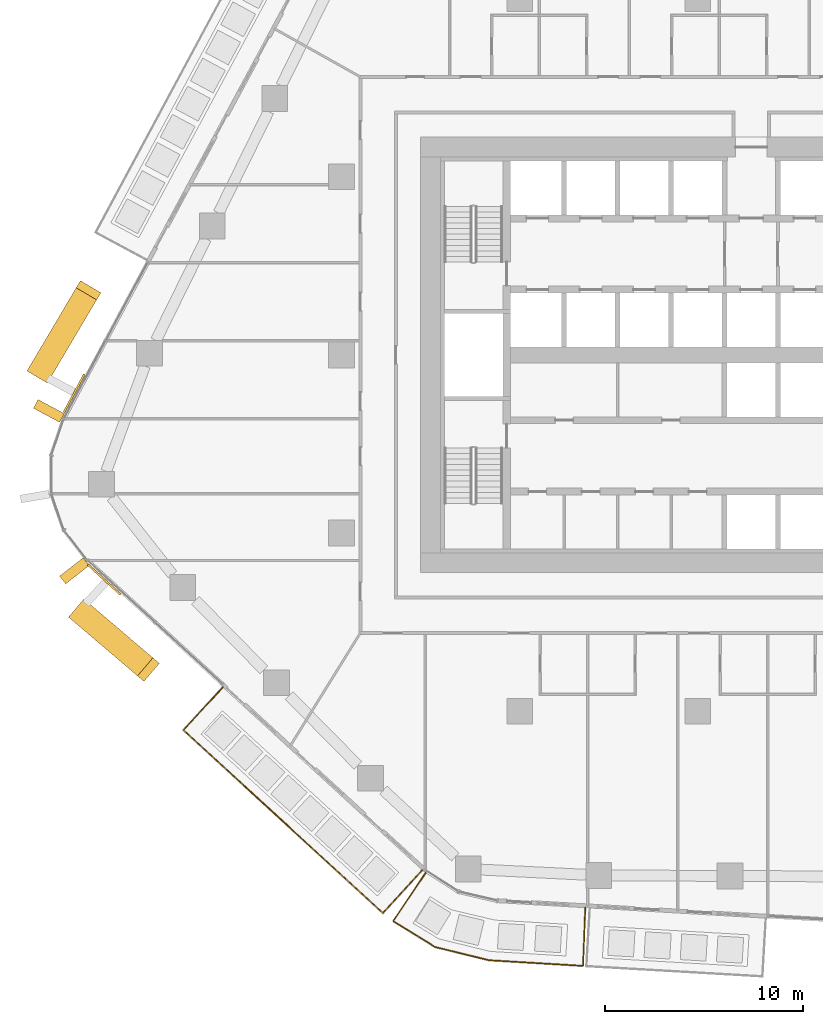
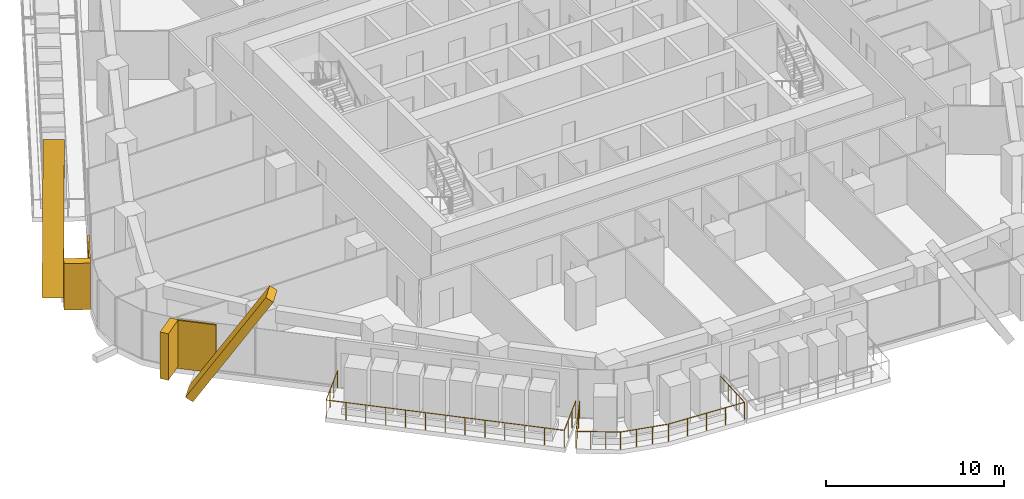
# One storey, part 18 of 23: 6 coverings, 2 railings, 3 elements without a shape of their own.
"""IFC4 building model written with IfcOpenShell, lengths in metres."""

import ifcopenshell
import ifcopenshell.guid

model = None  # the IFC model being written
_history = None  # IfcOwnerHistory: only IFC2X3 demands one
_inside = {}  # id of a spatial element -> (the spatial element, [elements in it])
_under = {}  # id of a project, library or spatial element -> (it, [spatial elements below it])
_declared = {}  # id of a project -> (the project, [libraries it declares])
_typed = {}  # id of a type object -> (the type object, [elements of that type])
_made_of = {}  # id of a material, layer set ... -> (it, [elements and type objects made of it])


def new_model(schema):
    """Start an empty IFC model of exactly this schema.

    Asked for "IFC4X3", IfcOpenShell would pick the latest addendum, in which some entities
    have other attributes; the version numbers below select the first issue.
    IFC2X3 requires an IfcOwnerHistory on every rooted entity: one is made here for all.
    """
    global model, _history
    if schema == "IFC4X3":
        model = ifcopenshell.file(schema_version=(4, 3, 0, 0))
    else:
        model = ifcopenshell.file(schema=schema)
    _inside.clear()
    _under.clear()
    _declared.clear()
    _typed.clear()
    _made_of.clear()
    _history = None
    if model.schema == "IFC2X3":
        org = make("IfcOrganization", Name="unknown")
        user = make(
            "IfcPersonAndOrganization",
            ThePerson=make("IfcPerson", FamilyName="unknown"),
            TheOrganization=org,
        )
        app = make(
            "IfcApplication",
            ApplicationDeveloper=org,
            Version="unknown",
            ApplicationFullName="unknown",
            ApplicationIdentifier="unknown",
        )
        _history = make(
            "IfcOwnerHistory",
            OwningUser=user,
            OwningApplication=app,
            ChangeAction="ADDED",
            CreationDate=0,
        )
    return model


def make(cls, **values):
    """One entity of the class cls with the attributes given. An attribute that is None is left unset."""
    return model.create_entity(
        cls, **{name: value for name, value in values.items() if value is not None}
    )


def rooted(cls, **values):
    """An entity with a GlobalId (a new one), such as an element, a storey or a relation."""
    return make(cls, GlobalId=ifcopenshell.guid.new(), OwnerHistory=_history, **values)


def si_unit(unit_type, name, prefix=None):
    """IfcSIUnit, for example si_unit("LENGTHUNIT", "METRE", prefix="MILLI")."""
    return make("IfcSIUnit", UnitType=unit_type, Prefix=prefix, Name=name)


def assignment(units):
    """IfcUnitAssignment: the units of a project."""
    return None if units is None else make("IfcUnitAssignment", Units=units)


def point(xyz):
    """IfcCartesianPoint."""
    return None if xyz is None else make("IfcCartesianPoint", Coordinates=xyz)


def direction(xyz):
    """IfcDirection."""
    return None if xyz is None else make("IfcDirection", DirectionRatios=xyz)


def frame(location, z_axis=None, x_axis=None):
    """IfcAxis2Placement3D, a coordinate frame: its origin and axes. An axis left out is left unset."""
    return make(
        "IfcAxis2Placement3D",
        Location=point(location),
        Axis=direction(z_axis),
        RefDirection=direction(x_axis),
    )


def frame_2d(location, x_axis=None):
    """IfcAxis2Placement2D, a coordinate frame in the plane: its origin and x axis."""
    return make(
        "IfcAxis2Placement2D", Location=point(location), RefDirection=direction(x_axis)
    )


def origin():
    """The frame at (0, 0, 0) with its axes left unset."""
    return frame((0.0, 0.0, 0.0))


def origin_2d():
    """The frame at (0, 0) in the plane with its x axis left unset."""
    return frame_2d((0.0, 0.0))


def place(relative_to, where):
    """IfcLocalPlacement: puts the frame where relative to a parent placement (None: the world)."""
    return make(
        "IfcLocalPlacement", PlacementRelTo=relative_to, RelativePlacement=where
    )


def context(
    kind, dimensions, precision=None, world=None, true_north=None, identifier=None
):
    """IfcGeometricRepresentationContext, for example the 3D "Model" context."""
    return make(
        "IfcGeometricRepresentationContext",
        ContextIdentifier=identifier,
        ContextType=kind,
        CoordinateSpaceDimension=dimensions,
        Precision=precision,
        WorldCoordinateSystem=world,
        TrueNorth=true_north,
    )


def subcontext(parent, identifier, kind, view, scale=None):
    """IfcGeometricRepresentationSubContext, for example "Body" below "Model"."""
    return make(
        "IfcGeometricRepresentationSubContext",
        ContextIdentifier=identifier,
        ContextType=kind,
        ParentContext=parent,
        TargetScale=scale,
        TargetView=view,
    )


def project(units=None, contexts=None):
    """IfcProject with its units and contexts."""
    return rooted(
        "IfcProject",
        Name="project",
        RepresentationContexts=contexts,
        UnitsInContext=assignment(units),
    )


def spatial(cls, under=None, at=None, **own):
    """A site, building, storey or space (cls), placed at a placement, below another one or the project."""
    s = rooted(cls, ObjectPlacement=at, **own)
    if under is not None:
        _under.setdefault(under.id(), (under, []))[1].append(s)
    return s


def profile(cls, at=None, kind="AREA", **sizes):
    """A parametric profile (cls). Its sizes go by their IFC names, for example OverallWidth=200.0."""
    return make(cls, ProfileType=kind, Position=at, **sizes)


def rectangle(**sizes):
    """IfcRectangleProfileDef."""
    return profile("IfcRectangleProfileDef", **sizes)


def circle(**sizes):
    """IfcCircleProfileDef."""
    return profile("IfcCircleProfileDef", **sizes)


def extrude(swept, where, along, depth):
    """IfcExtrudedAreaSolid: the profile swept, set in the frame where, extruded along a direction by depth."""
    return make(
        "IfcExtrudedAreaSolid",
        SweptArea=swept,
        Position=where,
        ExtrudedDirection=direction(along),
        Depth=depth,
    )


def shape(context_of_items, identifier, shape_type, items):
    """IfcShapeRepresentation: the items that make up one representation, for example the "Body"."""
    return make(
        "IfcShapeRepresentation",
        ContextOfItems=context_of_items,
        RepresentationIdentifier=identifier,
        RepresentationType=shape_type,
        Items=items,
    )


def material(Name=None, Category=None):
    """IfcMaterial."""
    return make("IfcMaterial", Name=Name, Category=Category)


def layer(
    of_material, thickness, ventilated=None, Name=None, Category=None, Priority=None
):
    """IfcMaterialLayer: one layer of a wall or slab, of a material (None: an air gap)."""
    return make(
        "IfcMaterialLayer",
        Material=of_material,
        LayerThickness=thickness,
        IsVentilated=ventilated,
        Name=Name,
        Category=Category,
        Priority=Priority,
    )


def layer_set(layers, Name=None):
    """IfcMaterialLayerSet."""
    return make("IfcMaterialLayerSet", MaterialLayers=layers, LayerSetName=Name)


def material_profile(
    of_material, cross_section, Name=None, Category=None, Priority=None
):
    """IfcMaterialProfile: a cross section and its material."""
    return make(
        "IfcMaterialProfile",
        Name=Name,
        Material=of_material,
        Profile=cross_section,
        Priority=Priority,
        Category=Category,
    )


def profile_set(profiles, Name=None, composite=None):
    """IfcMaterialProfileSet."""
    return make(
        "IfcMaterialProfileSet",
        Name=Name,
        MaterialProfiles=profiles,
        CompositeProfile=composite,
    )


def made_of(thing, what):
    """Note that an element or type object is made of a material, layer set ...; save() writes the relation."""
    if what is not None:
        _made_of.setdefault(what.id(), (what, []))[1].append(thing)
    return thing


def type_object(cls, material=None, **own):
    """A type object (cls), such as IfcWallType, which elements share."""
    return made_of(rooted(cls, **own), material)


def element(
    cls,
    number,
    at=None,
    inside=None,
    cuts=None,
    type_object=None,
    material=None,
    context=None,
    identifier="Body",
    shape_type=None,
    held_by="IfcProductDefinitionShape",
    body=None,
    shapes=None,
    **own,
):
    """One element of the class cls, such as IfcWall. Its Tag is "e" and its number.

    at: its placement. inside: the storey or other place that contains it. cuts: it is an
    opening in that element (IfcRelVoidsElement). A single representation is given by context,
    identifier, shape_type and body (its items); several are given by shapes. held_by: the class
    of the entity that holds the representations. save() writes the other relations.
    """
    e = rooted(cls, Tag="e%d" % number, ObjectPlacement=at, **own)
    if body is not None:
        shapes = [shape(context, identifier, shape_type, body)]
    if shapes is not None:
        e.Representation = make(held_by, Representations=shapes)
    if inside is not None:
        _inside.setdefault(inside.id(), (inside, []))[1].append(e)
    if cuts is not None:
        rooted(
            "IfcRelVoidsElement", RelatingBuildingElement=cuts, RelatedOpeningElement=e
        )
    if type_object is not None:
        _typed.setdefault(type_object.id(), (type_object, []))[1].append(e)
    return made_of(e, material)


def aggregate(whole, parts):
    """IfcRelAggregates: a whole, such as a stair, and the parts it consists of."""
    return rooted("IfcRelAggregates", RelatingObject=whole, RelatedObjects=parts)


def save(model, path):
    """Write the relations noted so far, then the file.

    IfcRelAggregates (storeys below a building ...), IfcRelContainedInSpatialStructure (elements
    in a storey), IfcRelDefinesByType, IfcRelAssociatesMaterial and IfcRelDeclares: one each for
    every whole, place, type object, material and project.
    """
    for whole, parts in _under.values():
        aggregate(whole, parts)
    for where, things in _inside.values():
        rooted(
            "IfcRelContainedInSpatialStructure",
            RelatedElements=things,
            RelatingStructure=where,
        )
    for kind, things in _typed.values():
        rooted("IfcRelDefinesByType", RelatedObjects=things, RelatingType=kind)
    for what, things in _made_of.values():
        rooted("IfcRelAssociatesMaterial", RelatedObjects=things, RelatingMaterial=what)
    for by, libraries in _declared.values():
        rooted("IfcRelDeclares", RelatingContext=by, RelatedDefinitions=libraries)
    model.write(path)


model = new_model("IFC4")

# Units and contexts
model_context = context("Model", 3, precision=1e-05, world=origin(), true_north=direction((0.0, 1.0)))
body_context = subcontext(model_context, "Body", "Model", "MODEL_VIEW")
ifc_project = project(units=[si_unit("LENGTHUNIT", "METRE"), si_unit("AREAUNIT", "SQUARE_METRE"), si_unit("VOLUMEUNIT", "CUBIC_METRE"), si_unit("PLANEANGLEUNIT", "RADIAN"), si_unit("MASSUNIT", "GRAM", prefix="KILO")], contexts=[model_context])

# Site, building, storey
site_placement = place(None, origin())
site = spatial("IfcSite", under=ifc_project, at=site_placement, CompositionType="ELEMENT")
building_placement = place(site_placement, origin())
building = spatial("IfcBuilding", under=site, at=building_placement, Name="Dongbaek Canopy Tower", CompositionType="ELEMENT")
storey_placement = place(building_placement, frame((0.0, 0.0, 121.10009765625)))
storey = spatial("IfcBuildingStorey", under=building, at=storey_placement, Name="L26", CompositionType="ELEMENT", Elevation=121.10009765625)

# Railings
ifc_material_1 = material(Name="Stainless steel", Category="steel")
railing_type = type_object("IfcRailingType", Name="Balcony balustrade 1200", PredefinedType="BALUSTRADE", material=ifc_material_1)
railing_1_placement = place(storey_placement, frame((-23.9921875, -16.784423828125, 0.0)))
element("IfcRailing", 1, at=railing_1_placement, inside=storey, type_object=railing_type, Name="Balcony guard L26 3", PredefinedType="BALUSTRADE", context=body_context, shape_type="SweptSolid", body=[
    extrude(circle(Radius=0.02392578125, at=origin_2d()), frame((0.0, 0.0, 1.17578125), z_axis=(-0.675972780122, -0.736926591008, 0.0), x_axis=(0.736926591008, -0.675972780122, 0.0)), (0.0, 0.0, 1.0), 2.93994140625),
    extrude(circle(Radius=0.02392578125, at=origin_2d()), frame((-1.9873046875, -2.16650390625, 1.17578125), z_axis=(0.736921293012, -0.675978555803, 0.0), x_axis=(0.675978555803, 0.736921293012, 0.0)), (0.0, 0.0, 1.0), 13.668701171875),
    extrude(circle(Radius=0.02392578125, at=origin_2d()), frame((8.08544921875, -11.40625, 1.17578125), z_axis=(0.675931414187, 0.736964533282, 0.0), x_axis=(-0.736964533282, 0.675931414187, 0.0)), (0.0, 0.0, 1.0), 2.940185546875),
    extrude(circle(Radius=0.02099609375, at=origin_2d()), origin(), (0.0, 0.0, 1.0), 1.15185546875),
    extrude(circle(Radius=0.02099609375, at=origin_2d()), frame((-0.662353515625, -0.72216796875, 0.0)), (0.0, 0.0, 1.0), 1.15185546875),
    extrude(circle(Radius=0.02099609375, at=origin_2d()), frame((-1.324951171875, -1.4443359375, 0.0)), (0.0, 0.0, 1.0), 1.15185546875),
    extrude(circle(Radius=0.02099609375, at=origin_2d()), frame((-1.9873046875, -2.16650390625, 0.0)), (0.0, 0.0, 1.0), 1.15185546875),
    extrude(circle(Radius=0.02099609375, at=origin_2d()), frame((-1.14794921875, -2.9365234375, 0.0)), (0.0, 0.0, 1.0), 1.15185546875),
    extrude(circle(Radius=0.02099609375, at=origin_2d()), frame((-0.30859375, -3.70654296875, 0.0)), (0.0, 0.0, 1.0), 1.15185546875),
    extrude(circle(Radius=0.02099609375, at=origin_2d()), frame((0.53076171875, -4.4765625, 0.0)), (0.0, 0.0, 1.0), 1.15185546875),
    extrude(circle(Radius=0.02099609375, at=origin_2d()), frame((1.370361328125, -5.246337890625, 0.0)), (0.0, 0.0, 1.0), 1.15185546875),
    extrude(circle(Radius=0.02099609375, at=origin_2d()), frame((2.209716796875, -6.016357421875, 0.0)), (0.0, 0.0, 1.0), 1.15185546875),
    extrude(circle(Radius=0.02099609375, at=origin_2d()), frame((3.049072265625, -6.786376953125, 0.0)), (0.0, 0.0, 1.0), 1.15185546875),
    extrude(circle(Radius=0.02099609375, at=origin_2d()), frame((3.888427734375, -7.556396484375, 0.0)), (0.0, 0.0, 1.0), 1.15185546875),
    extrude(circle(Radius=0.02099609375, at=origin_2d()), frame((4.727783203125, -8.326416015625, 0.0)), (0.0, 0.0, 1.0), 1.15185546875),
    extrude(circle(Radius=0.02099609375, at=origin_2d()), frame((5.5673828125, -9.09619140625, 0.0)), (0.0, 0.0, 1.0), 1.15185546875),
    extrude(circle(Radius=0.02099609375, at=origin_2d()), frame((6.40673828125, -9.8662109375, 0.0)), (0.0, 0.0, 1.0), 1.15185546875),
    extrude(circle(Radius=0.02099609375, at=origin_2d()), frame((7.24609375, -10.63623046875, 0.0)), (0.0, 0.0, 1.0), 1.15185546875),
    extrude(circle(Radius=0.02099609375, at=origin_2d()), frame((8.08544921875, -11.40625, 0.0)), (0.0, 0.0, 1.0), 1.15185546875),
    extrude(circle(Radius=0.02099609375, at=origin_2d()), frame((8.747802734375, -10.68408203125, 0.0)), (0.0, 0.0, 1.0), 1.15185546875),
    extrude(circle(Radius=0.02099609375, at=origin_2d()), frame((9.410400390625, -9.961669921875, 0.0)), (0.0, 0.0, 1.0), 1.15185546875),
    extrude(circle(Radius=0.02099609375, at=origin_2d()), frame((10.07275390625, -9.239501953125, 0.0)), (0.0, 0.0, 1.0), 1.15185546875),
])
railing_2_placement = place(storey_placement, frame((-13.745849609375, -26.157958984375, 0.0)))
element("IfcRailing", 2, at=railing_2_placement, inside=storey, type_object=railing_type, Name="Balcony guard L26 7", PredefinedType="BALUSTRADE", context=body_context, shape_type="SweptSolid", body=[
    extrude(circle(Radius=0.02392578125, at=origin_2d()), frame((0.0, 0.0, 1.17578125), z_axis=(-0.557704769947, -0.830039390377, 0.0), x_axis=(0.830039390377, -0.557704769947, 0.0)), (0.0, 0.0, 1.0), 2.9404296875),
    extrude(circle(Radius=0.02392578125, at=origin_2d()), frame((-1.639892578125, -2.440673828125, 1.17578125), z_axis=(0.850419443082, -0.526105284926, 0.0), x_axis=(0.526105284926, 0.850419443082, 0.0)), (0.0, 0.0, 1.0), 2.49462890625),
    extrude(circle(Radius=0.02392578125, at=origin_2d()), frame((0.481689453125, -3.753173828125, 1.17578125), z_axis=(0.97124705118, -0.238073865796, 0.0), x_axis=(0.238073865796, 0.97124705118, 0.0)), (0.0, 0.0, 1.0), 2.79541015625),
    extrude(circle(Radius=0.02392578125, at=origin_2d()), frame((3.19677734375, -4.418701171875, 1.17578125), z_axis=(0.998198652811, -0.059995412536, 0.0), x_axis=(0.059995412536, 0.998198652811, 0.0)), (0.0, 0.0, 1.0), 4.76513671875),
    extrude(circle(Radius=0.02392578125, at=origin_2d()), frame((7.953369140625, -4.70458984375, 1.17578125), z_axis=(0.037361732555, 0.999301806733, 0.0), x_axis=(-0.999301806733, 0.037361732555, 0.0)), (0.0, 0.0, 1.0), 2.9404296875),
    extrude(circle(Radius=0.02099609375, at=origin_2d()), origin(), (0.0, 0.0, 1.0), 1.15185546875),
    extrude(circle(Radius=0.02099609375, at=origin_2d()), frame((-0.546630859375, -0.8134765625, 0.0)), (0.0, 0.0, 1.0), 1.15185546875),
    extrude(circle(Radius=0.02099609375, at=origin_2d()), frame((-1.09326171875, -1.627197265625, 0.0)), (0.0, 0.0, 1.0), 1.15185546875),
    extrude(circle(Radius=0.02099609375, at=origin_2d()), frame((-1.639892578125, -2.440673828125, 0.0)), (0.0, 0.0, 1.0), 1.15185546875),
    extrude(circle(Radius=0.02099609375, at=origin_2d()), frame((-0.9326171875, -2.878173828125, 0.0)), (0.0, 0.0, 1.0), 1.15185546875),
    extrude(circle(Radius=0.02099609375, at=origin_2d()), frame((-0.2255859375, -3.315673828125, 0.0)), (0.0, 0.0, 1.0), 1.15185546875),
    extrude(circle(Radius=0.02099609375, at=origin_2d()), frame((0.481689453125, -3.753173828125, 0.0)), (0.0, 0.0, 1.0), 1.15185546875),
    extrude(circle(Radius=0.02099609375, at=origin_2d()), frame((1.38671875, -3.97509765625, 0.0)), (0.0, 0.0, 1.0), 1.15185546875),
    extrude(circle(Radius=0.02099609375, at=origin_2d()), frame((2.291748046875, -4.19677734375, 0.0)), (0.0, 0.0, 1.0), 1.15185546875),
    extrude(circle(Radius=0.02099609375, at=origin_2d()), frame((3.19677734375, -4.418701171875, 0.0)), (0.0, 0.0, 1.0), 1.15185546875),
    extrude(circle(Radius=0.02099609375, at=origin_2d()), frame((4.385986328125, -4.490234375, 0.0)), (0.0, 0.0, 1.0), 1.15185546875),
    extrude(circle(Radius=0.02099609375, at=origin_2d()), frame((5.5751953125, -4.5615234375, 0.0)), (0.0, 0.0, 1.0), 1.15185546875),
    extrude(circle(Radius=0.02099609375, at=origin_2d()), frame((6.76416015625, -4.633056640625, 0.0)), (0.0, 0.0, 1.0), 1.15185546875),
    extrude(circle(Radius=0.02099609375, at=origin_2d()), frame((7.953369140625, -4.70458984375, 0.0)), (0.0, 0.0, 1.0), 1.15185546875),
    extrude(circle(Radius=0.02099609375, at=origin_2d()), frame((7.989990234375, -3.72509765625, 0.0)), (0.0, 0.0, 1.0), 1.15185546875),
    extrude(circle(Radius=0.02099609375, at=origin_2d()), frame((8.026611328125, -2.74560546875, 0.0)), (0.0, 0.0, 1.0), 1.15185546875),
    extrude(circle(Radius=0.02099609375, at=origin_2d()), frame((8.063232421875, -1.76611328125, 0.0)), (0.0, 0.0, 1.0), 1.15185546875),
])

# Curtain wall, covering
ifc_material_2 = material(Name="Aluminium 6063-T6 pale anodised", Category="aluminium")
ifc_layer_1 = layer(ifc_material_2, 0.199951171875)
ifc_layer_set_1 = layer_set([ifc_layer_1], Name="CW-1 unitised tower curtain wall")
curtain_wall_type = type_object("IfcCurtainWallType", Name="CW-1 unitised tower curtain wall", PredefinedType="NOTDEFINED", material=ifc_layer_set_1)
curtain_wall_1_placement = place(storey_placement, origin())
curtain_wall_1 = element("IfcCurtainWall", 3, at=curtain_wall_1_placement, inside=storey, type_object=curtain_wall_type, Name="CW-1 curtain wall F2.1", PredefinedType="NOTDEFINED")
ifc_material_3 = material(Name="Aluminium 6063-T6 pale metal fin", Category="aluminium")
ifc_material_profile_1 = material_profile(ifc_material_3, rectangle(XDim=1.199951171875, YDim=0.5, at=origin_2d()), Name="Crease fin CF1 500 x 1200 pale metal")
ifc_profile_set_1 = profile_set([ifc_material_profile_1], Name="Aluminium 6063-T6 pale metal fin")
covering_type_1 = type_object("IfcCoveringType", Name="Crease fin CF1 500 x 1200 pale metal", PredefinedType="CLADDING", material=ifc_profile_set_1)
covering_1_placement = place(storey_placement, frame((-33.265869140625, -0.936279296875, -0.2001953125), z_axis=(0.280661721702, 0.474129439811, 0.834523979449), x_axis=(-0.860533322025, 0.509394151601, 0.0)))
covering_1 = element("IfcCovering", 4, at=covering_1_placement, type_object=covering_type_1, Name="Crease fin L26 L28 F2", PredefinedType="CLADDING", context=body_context, shape_type="SweptSolid", body=[
    extrude(rectangle(XDim=1.199951171875, YDim=0.5, at=origin_2d()), origin(), (0.0, 0.0, 1.0), 8.867431640625),
])

curtain_wall_2_placement = place(storey_placement, origin())
curtain_wall_2 = element("IfcCurtainWall", 5, at=curtain_wall_2_placement, inside=storey, type_object=curtain_wall_type, Name="CW-1 curtain wall F3.1", PredefinedType="NOTDEFINED")
covering_2_placement = place(storey_placement, frame((-31.238525390625, -12.92431640625, -0.2001953125), z_axis=(0.400700577162, -0.341373890379, 0.850236975454), x_axis=(0.648506483719, 0.761209130643, 0.0)))
covering_2 = element("IfcCovering", 6, at=covering_2_placement, type_object=covering_type_1, Name="Crease fin L26 L28 F3", PredefinedType="CLADDING", context=body_context, shape_type="SweptSolid", body=[
    extrude(rectangle(XDim=1.199951171875, YDim=0.5, at=origin_2d()), origin(), (0.0, 0.0, 1.0), 8.70361328125),
])

# Covering
ifc_material_4 = material(Name="Perforated aluminium 6063-T6 pale metal screen", Category="aluminium")
ifc_layer_2 = layer(ifc_material_4, 0.10009765625)
ifc_layer_set_2 = layer_set([ifc_layer_2], Name="Facet screen FS1 100 pale metal")
covering_type_2 = type_object("IfcCoveringType", Name="Facet screen FS1 100 pale metal", PredefinedType="CLADDING", material=ifc_layer_set_2)
covering_3_placement = place(storey_placement, frame((-31.505615234375, -1.9384765625, 0.0), z_axis=(0.0, 0.0, 1.0), x_axis=(-0.473408836533, -0.88084281997, 0.0)))
covering_3 = element("IfcCovering", 7, at=covering_3_placement, type_object=covering_type_2, Name="Facet screen L26 F2", PredefinedType="CLADDING", context=body_context, shape_type="SweptSolid", body=[
    extrude(rectangle(XDim=2.19384765625, YDim=0.10009765625, at=origin_2d()), origin(), (0.0, 0.0, 1.0), 3.300048828125),
])

covering_4_placement = place(storey_placement, frame((-29.9814453125, -11.352783203125, 0.0), z_axis=(0.0, 0.0, 1.0), x_axis=(0.736919958143, -0.675980011014, 0.0)))
covering_4 = element("IfcCovering", 8, at=covering_4_placement, type_object=covering_type_2, Name="Facet screen L26 F3", PredefinedType="CLADDING", context=body_context, shape_type="SweptSolid", body=[
    extrude(rectangle(XDim=2.25048828125, YDim=0.10009765625, at=origin_2d()), origin(), (0.0, 0.0, 1.0), 3.300048828125),
])

aggregate(curtain_wall_2, [covering_2, covering_4])

ifc_material_5 = material(Name="Aluminium 6063-T6 pale metal fin", Category="aluminium")
ifc_material_profile_2 = material_profile(ifc_material_5, rectangle(XDim=1.5, YDim=0.5, at=origin_2d()), Name="Fin FN1 500 x 1500 pale metal")
ifc_profile_set_2 = profile_set([ifc_material_profile_2], Name="Aluminium 6063-T6 pale metal fin")
covering_type_3 = type_object("IfcCoveringType", Name="Fin FN1 500 x 1500 pale metal", PredefinedType="CLADDING", material=ifc_profile_set_2)
covering_5_placement = place(storey_placement, frame((-32.7822265625, -2.82666015625, 0.119873046875), z_axis=(0.0, 0.0, 1.0), x_axis=(-0.880842802858, 0.473408868372, 0.0)))
covering_5 = element("IfcCovering", 9, at=covering_5_placement, type_object=covering_type_3, Name="Fin F2.1.3", PredefinedType="CLADDING", context=body_context, shape_type="SweptSolid", body=[
    extrude(rectangle(XDim=1.5, YDim=0.5, at=origin_2d()), origin(), (0.0, 0.0, 1.0), 3.179931640625),
])

aggregate(curtain_wall_1, [covering_5, covering_1, covering_3])

# Curtain wall, covering
curtain_wall_3_placement = place(storey_placement, origin())
curtain_wall_3 = element("IfcCurtainWall", 10, at=curtain_wall_3_placement, inside=storey, type_object=curtain_wall_type, Name="CW-1 curtain wall K3.1", PredefinedType="NOTDEFINED")
covering_6_placement = place(storey_placement, frame((-31.492431640625, -10.90625, 0.119873046875), z_axis=(0.0, 0.0, 1.0), x_axis=(-0.787967884973, -0.615716340737, 0.0)))
covering_6 = element("IfcCovering", 11, at=covering_6_placement, type_object=covering_type_3, Name="Fin K3.1.5", PredefinedType="CLADDING", context=body_context, shape_type="SweptSolid", body=[
    extrude(rectangle(XDim=1.5, YDim=0.5, at=origin_2d()), origin(), (0.0, 0.0, 1.0), 3.179931640625),
])
aggregate(curtain_wall_3, [covering_6])

save(model, "model.ifc")
